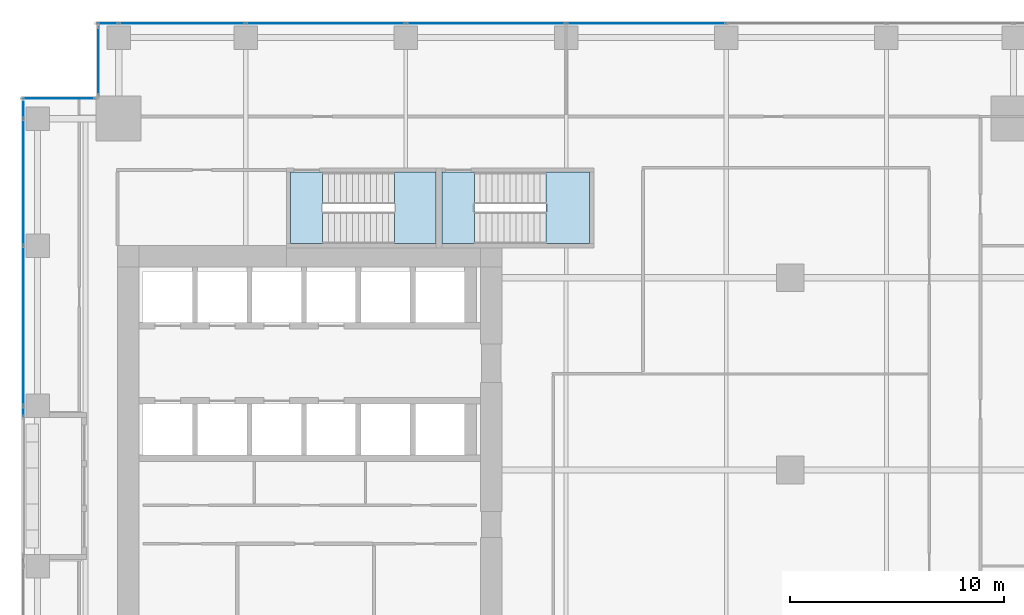
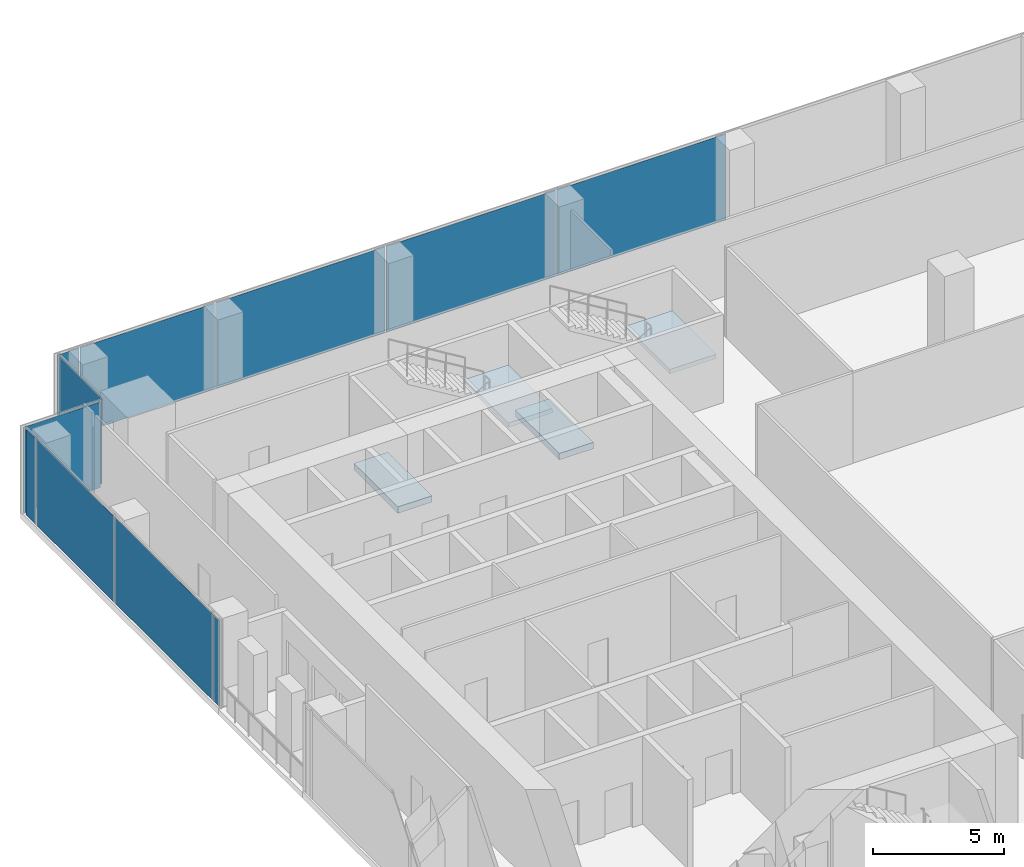
# One storey, part 27 of 35: 11 plates, 4 slabs, 6 elements without a shape of their own.
"""IFC4 building model written with IfcOpenShell, lengths in metres."""

from ifc_helpers import new_model, si_unit, direction, frame, origin, origin_2d, place, context, subcontext, project, spatial, polyline, rectangle, outline, extrude, source, transform, mapped, material, layer, layer_set, type_object, element, aggregate, save


model = new_model("IFC4")

# Units and contexts
model_context = context("Model", 3, precision=1e-05, world=origin(), true_north=direction((0.0, 1.0)))
body_context = subcontext(model_context, "Body", "Model", "MODEL_VIEW")
ifc_project = project(units=[si_unit("LENGTHUNIT", "METRE"), si_unit("AREAUNIT", "SQUARE_METRE"), si_unit("VOLUMEUNIT", "CUBIC_METRE"), si_unit("PLANEANGLEUNIT", "RADIAN"), si_unit("MASSUNIT", "GRAM", prefix="KILO")], contexts=[model_context])

# Site, building, storey
site_placement = place(None, origin())
site = spatial("IfcSite", under=ifc_project, at=site_placement, CompositionType="ELEMENT")
building_placement = place(site_placement, origin())
building = spatial("IfcBuilding", under=site, at=building_placement, Name="Khomas Fold Tower", CompositionType="ELEMENT")
storey_placement = place(building_placement, frame((0.0, 0.0, 132.300048828125)))
storey = spatial("IfcBuildingStorey", under=building, at=storey_placement, Name="L28", CompositionType="ELEMENT", Elevation=132.300048828125)

# Curtain wall, plate
ifc_material_1 = material(Name="Aluminium framed double glazing", Category="aluminium")
curtain_wall_type = type_object("IfcCurtainWallType", Name="SK-Unitised clear-glass wall, growing floors CW1", PredefinedType="NOTDEFINED", material=ifc_material_1)
curtain_wall_1_placement = place(storey_placement, origin())
curtain_wall_1 = element("IfcCurtainWall", 1, at=curtain_wall_1_placement, inside=storey, type_object=curtain_wall_type, Name="CW1 run L28 09-0", PredefinedType="NOTDEFINED")
ifc_material_2 = material(Name="Clear double glazed unit")
ifc_layer_1 = layer(ifc_material_2, 0.031982421875)
ifc_layer_set_1 = layer_set([ifc_layer_1], Name="Clear double glazed unit")
plate_type = type_object("IfcPlateType", Name="SK-Unitised clear-glass wall, growing floors glass panel CW1-P", PredefinedType="CURTAIN_PANEL", material=ifc_layer_set_1)
shared_shape_1 = source(origin(), body_context, "Body", "SweptSolid", [
    extrude(rectangle(XDim=0.760009765625, YDim=0.031982421875, at=origin_2d()), origin(), (0.0, 0.0, 1.0), 3.97998046875),
])
plate_1_placement = place(storey_placement, frame((1.60009765625, 48.360107421875, 0.0), z_axis=(0.0, 0.0, 1.0), x_axis=(0.0, -1.0, 0.0)))
plate_1 = element("IfcPlate", 2, at=plate_1_placement, type_object=plate_type, Name="CW1 glass panel 1", PredefinedType="CURTAIN_PANEL", context=body_context, shape_type="MappedRepresentation", body=[
    mapped(shared_shape_1, transform((0.0, 0.0, 0.0))),
])

curtain_wall_2_placement = place(storey_placement, origin())
curtain_wall_2 = element("IfcCurtainWall", 3, at=curtain_wall_2_placement, inside=storey, type_object=curtain_wall_type, Name="CW1 run L28 06-0", PredefinedType="NOTDEFINED")
shared_shape_2 = source(origin(), body_context, "Body", "SweptSolid", [
    extrude(rectangle(XDim=5.889892578125, YDim=0.031982421875, at=origin_2d()), origin(), (0.0, 0.0, 1.0), 3.97998046875),
])
plate_2_placement = place(storey_placement, frame((9.02490234375, 52.39990234375, 0.0), z_axis=(0.0, 0.0, 1.0), x_axis=(-1.0, 0.0, 0.0)))
plate_2 = element("IfcPlate", 4, at=plate_2_placement, type_object=plate_type, Name="CW1 glass panel 7", PredefinedType="CURTAIN_PANEL", context=body_context, shape_type="MappedRepresentation", body=[
    mapped(shared_shape_2, transform((0.0, 0.0, 0.0))),
])

# Plate
plate_3_placement = place(storey_placement, frame((1.60009765625, 44.97509765625, 0.0), z_axis=(0.0, 0.0, 1.0), x_axis=(0.0, -1.0, 0.0)))
plate_3 = element("IfcPlate", 5, at=plate_3_placement, type_object=plate_type, Name="CW1 glass panel 2", PredefinedType="CURTAIN_PANEL", context=body_context, shape_type="MappedRepresentation", body=[
    mapped(shared_shape_2, transform((0.0, 0.0, 0.0))),
])

shared_shape_3 = source(origin(), body_context, "Body", "SweptSolid", [
    extrude(rectangle(XDim=7.43994140625, YDim=0.031982421875, at=origin_2d()), origin(), (0.0, 0.0, 1.0), 3.97998046875),
])
plate_4_placement = place(storey_placement, frame((30.75, 52.39990234375, 0.0), z_axis=(0.0, 0.0, 1.0), x_axis=(-1.0, 0.0, 0.0)))
plate_4 = element("IfcPlate", 6, at=plate_4_placement, type_object=plate_type, Name="CW1 glass panel 4", PredefinedType="CURTAIN_PANEL", context=body_context, shape_type="MappedRepresentation", body=[
    mapped(shared_shape_3, transform((0.0, 0.0, 0.0))),
])

plate_5_placement = place(storey_placement, frame((23.25, 52.39990234375, 0.0), z_axis=(0.0, 0.0, 1.0), x_axis=(-1.0, 0.0, 0.0)))
plate_5 = element("IfcPlate", 7, at=plate_5_placement, type_object=plate_type, Name="CW1 glass panel 5", PredefinedType="CURTAIN_PANEL", context=body_context, shape_type="MappedRepresentation", body=[
    mapped(shared_shape_3, transform((0.0, 0.0, 0.0))),
])

plate_6_placement = place(storey_placement, frame((15.75, 52.39990234375, 0.0), z_axis=(0.0, 0.0, 1.0), x_axis=(-1.0, 0.0, 0.0)))
plate_6 = element("IfcPlate", 8, at=plate_6_placement, type_object=plate_type, Name="CW1 glass panel 6", PredefinedType="CURTAIN_PANEL", context=body_context, shape_type="MappedRepresentation", body=[
    mapped(shared_shape_3, transform((0.0, 0.0, 0.0))),
])

plate_7_placement = place(storey_placement, frame((1.60009765625, 38.25, 0.0), z_axis=(0.0, 0.0, 1.0), x_axis=(0.0, -1.0, 0.0)))
plate_7 = element("IfcPlate", 9, at=plate_7_placement, type_object=plate_type, Name="CW1 glass panel 3", PredefinedType="CURTAIN_PANEL", context=body_context, shape_type="MappedRepresentation", body=[
    mapped(shared_shape_3, transform((0.0, 0.0, 0.0))),
])

shared_shape_4 = source(origin(), body_context, "Body", "SweptSolid", [
    extrude(rectangle(XDim=0.9599609375, YDim=0.031982421875, at=origin_2d()), origin(), (0.0, 0.0, 1.0), 3.97998046875),
])
plate_8_placement = place(storey_placement, frame((5.5400390625, 52.39990234375, 0.0), z_axis=(0.0, 0.0, 1.0), x_axis=(-1.0, 0.0, 0.0)))
plate_8 = element("IfcPlate", 10, at=plate_8_placement, type_object=plate_type, Name="CW1 glass panel 8", PredefinedType="CURTAIN_PANEL", context=body_context, shape_type="MappedRepresentation", body=[
    mapped(shared_shape_4, transform((0.0, 0.0, 0.0))),
])

aggregate(curtain_wall_2, [plate_4, plate_5, plate_6, plate_2, plate_8])

# Curtain wall, plate
curtain_wall_3_placement = place(storey_placement, origin())
curtain_wall_3 = element("IfcCurtainWall", 11, at=curtain_wall_3_placement, inside=storey, type_object=curtain_wall_type, Name="CW1 corner return L28 07", PredefinedType="NOTDEFINED")
shared_shape_5 = source(origin(), body_context, "Body", "SweptSolid", [
    extrude(rectangle(XDim=3.179931640625, YDim=0.031982421875, at=origin_2d()), origin(), (0.0, 0.0, 1.0), 3.97998046875),
])
plate_9_placement = place(storey_placement, frame((5.10009765625, 50.64990234375, 0.0), z_axis=(0.0, 0.0, 1.0), x_axis=(0.0, -1.0, 0.0)))
plate_9 = element("IfcPlate", 12, at=plate_9_placement, type_object=plate_type, Name="CW1 glass panel 1", PredefinedType="CURTAIN_PANEL", context=body_context, shape_type="MappedRepresentation", body=[
    mapped(shared_shape_5, transform((0.0, 0.0, 0.0))),
])
aggregate(curtain_wall_3, [plate_9])

curtain_wall_4_placement = place(storey_placement, origin())
curtain_wall_4 = element("IfcCurtainWall", 13, at=curtain_wall_4_placement, inside=storey, type_object=curtain_wall_type, Name="CW1 corner return L28 08", PredefinedType="NOTDEFINED")
shared_shape_6 = source(origin(), body_context, "Body", "SweptSolid", [
    extrude(rectangle(XDim=3.3798828125, YDim=0.031982421875, at=origin_2d()), origin(), (0.0, 0.0, 1.0), 3.97998046875),
])
plate_10_placement = place(storey_placement, frame((3.25, 48.89990234375, 0.0), z_axis=(0.0, 0.0, 1.0), x_axis=(-1.0, 0.0, 0.0)))
plate_10 = element("IfcPlate", 14, at=plate_10_placement, type_object=plate_type, Name="CW1 glass panel 1", PredefinedType="CURTAIN_PANEL", context=body_context, shape_type="MappedRepresentation", body=[
    mapped(shared_shape_6, transform((0.0, 0.0, 0.0))),
])
aggregate(curtain_wall_4, [plate_10])

# Plate
shared_shape_7 = source(origin(), body_context, "Body", "SweptSolid", [
    extrude(rectangle(XDim=0.4599609375, YDim=0.031982421875, at=origin_2d()), origin(), (0.0, 0.0, 1.0), 3.97998046875),
])
plate_11_placement = place(storey_placement, frame((1.60009765625, 34.239990234375, 0.0), z_axis=(0.0, 0.0, 1.0), x_axis=(0.0, -1.0, 0.0)))
plate_11 = element("IfcPlate", 15, at=plate_11_placement, type_object=plate_type, Name="CW1 glass panel 4", PredefinedType="CURTAIN_PANEL", context=body_context, shape_type="MappedRepresentation", body=[
    mapped(shared_shape_7, transform((0.0, 0.0, 0.0))),
])

aggregate(curtain_wall_1, [plate_1, plate_3, plate_7, plate_11])

# Stair, slab
ifc_material_3 = material(Name="Concrete C40/50", Category="concrete")
stair_type_1 = type_object("IfcStairType", Name="Stair ST1", PredefinedType="HALF_TURN_STAIR", material=ifc_material_3)
stair_1_placement = place(storey_placement, origin())
stair_1 = element("IfcStair", 16, at=stair_1_placement, inside=storey, type_object=stair_type_1, Name="L28 ST1", PredefinedType="HALF_TURN_STAIR")
ifc_material_4 = material(Name="Concrete C40/50", Category="concrete")
ifc_layer_2 = layer(ifc_material_4, 0.199951171875)
ifc_layer_set_2 = layer_set([ifc_layer_2], Name="Concrete C40/50")
slab_type_1 = type_object("IfcSlabType", Name="Stair landing 200", PredefinedType="LANDING", material=ifc_layer_set_2)
shared_shape_8 = source(origin(), body_context, "Body", "SweptSolid", [
    extrude(outline(polyline([(18.9599609375, 42.10009765625), (20.89990234375, 42.10009765625), (20.89990234375, 45.449951171875), (18.9599609375, 45.449951171875), (18.9599609375, 42.10009765625)])), origin(), (0.0, 0.0, 1.0), 0.199951171875),
])
slab_1_placement = place(storey_placement, frame((0.0, 0.0, 2.0)))
slab_1 = element("IfcSlab", 17, at=slab_1_placement, type_object=slab_type_1, Name="ST1 landing 1", PredefinedType="LANDING", context=body_context, shape_type="MappedRepresentation", body=[
    mapped(shared_shape_8, transform((0.0, 0.0, 0.0))),
])
aggregate(stair_1, [slab_1])

# Slab
ifc_material_5 = material(Name="Concrete C40/50", Category="concrete")
ifc_layer_3 = layer(ifc_material_5, 0.300048828125)
ifc_layer_set_3 = layer_set([ifc_layer_3], Name="Concrete C40/50")
slab_type_2 = type_object("IfcSlabType", Name="Stair floor landing 300", PredefinedType="LANDING", material=ifc_layer_set_3)
shared_shape_9 = source(origin(), body_context, "Body", "SweptSolid", [
    extrude(outline(polyline([(15.60009765625, 42.10009765625), (14.10009765625, 42.10009765625), (14.10009765625, 45.449951171875), (15.60009765625, 45.449951171875), (15.60009765625, 42.10009765625)])), origin(), (0.0, 0.0, 1.0), 0.300048828125),
])
slab_2_placement = place(storey_placement, frame((0.0, 0.0, -0.300048828125)))
element("IfcSlab", 18, at=slab_2_placement, inside=storey, type_object=slab_type_2, Name="ST1 floor landing", PredefinedType="LANDING", context=body_context, shape_type="MappedRepresentation", body=[
    mapped(shared_shape_9, transform((0.0, 0.0, 0.0))),
])

# Stair, slab
ifc_material_6 = material(Name="Concrete C40/50", Category="concrete")
stair_type_2 = type_object("IfcStairType", Name="Stair ST3", PredefinedType="HALF_TURN_STAIR", material=ifc_material_6)
stair_2_placement = place(storey_placement, origin())
stair_2 = element("IfcStair", 19, at=stair_2_placement, inside=storey, type_object=stair_type_2, Name="L28 ST3", PredefinedType="HALF_TURN_STAIR")
shared_shape_10 = source(origin(), body_context, "Body", "SweptSolid", [
    extrude(outline(polyline([(26.06005859375, 42.10009765625), (28.10009765625, 42.10009765625), (28.10009765625, 45.449951171875), (26.06005859375, 45.449951171875), (26.06005859375, 42.10009765625)])), origin(), (0.0, 0.0, 1.0), 0.199951171875),
])
slab_3_placement = place(storey_placement, frame((0.0, 0.0, 2.0)))
slab_3 = element("IfcSlab", 20, at=slab_3_placement, type_object=slab_type_1, Name="ST3 landing 1", PredefinedType="LANDING", context=body_context, shape_type="MappedRepresentation", body=[
    mapped(shared_shape_10, transform((0.0, 0.0, 0.0))),
])
aggregate(stair_2, [slab_3])

# Slab
shared_shape_11 = source(origin(), body_context, "Body", "SweptSolid", [
    extrude(outline(polyline([(22.699951171875, 42.10009765625), (21.199951171875, 42.10009765625), (21.199951171875, 45.449951171875), (22.699951171875, 45.449951171875), (22.699951171875, 42.10009765625)])), origin(), (0.0, 0.0, 1.0), 0.300048828125),
])
slab_4_placement = place(storey_placement, frame((0.0, 0.0, -0.300048828125)))
element("IfcSlab", 21, at=slab_4_placement, inside=storey, type_object=slab_type_2, Name="ST3 floor landing", PredefinedType="LANDING", context=body_context, shape_type="MappedRepresentation", body=[
    mapped(shared_shape_11, transform((0.0, 0.0, 0.0))),
])

save(model, "model.ifc")
